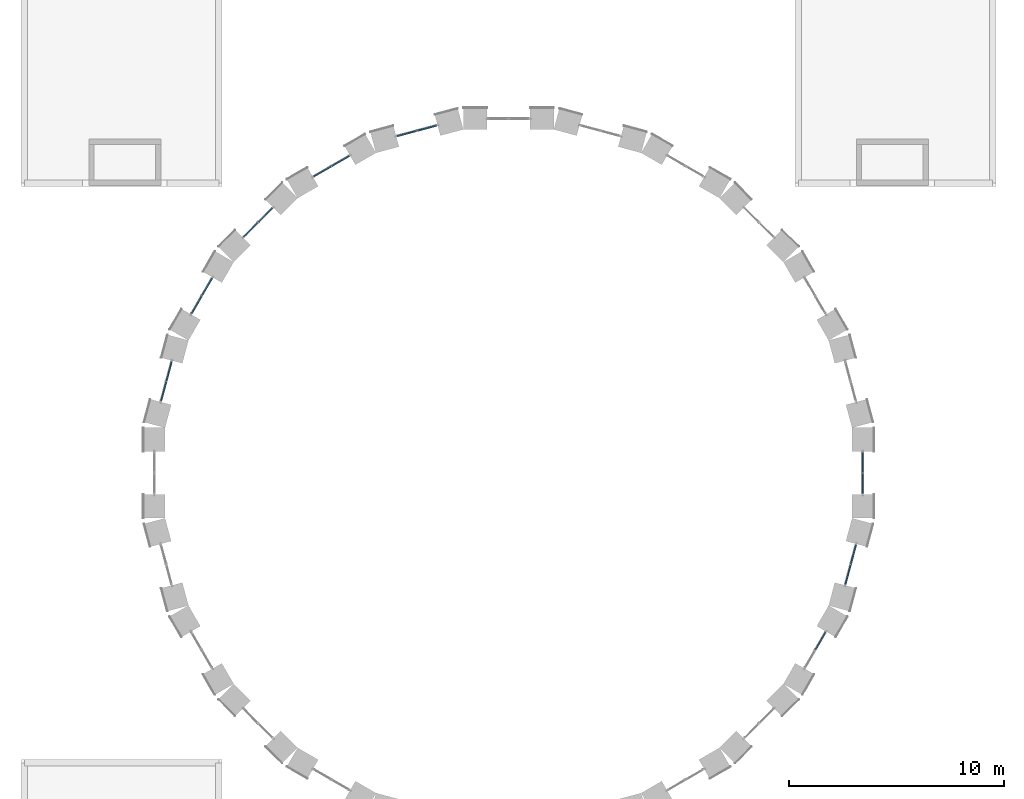
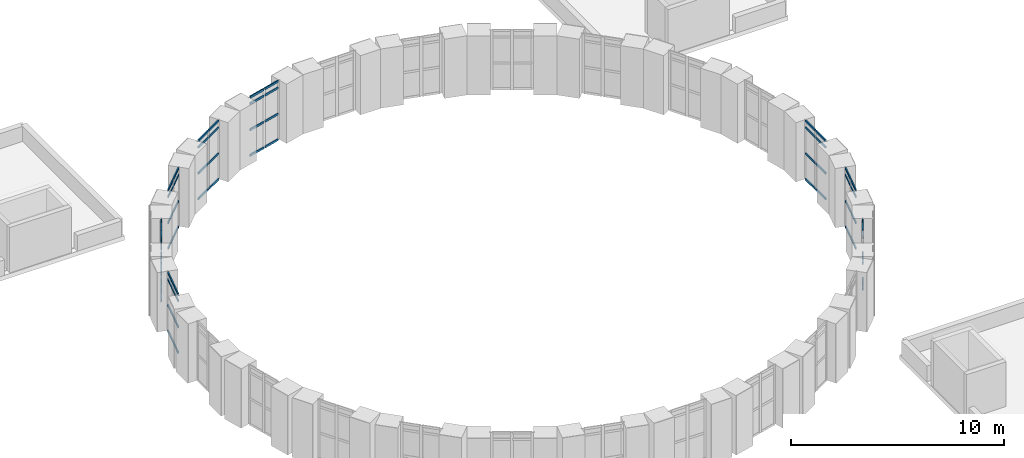
# One storey, part 16 of 42: 60 members, 8 elements without a shape of their own.
"""IFC4 building model written with IfcOpenShell, lengths in metres."""

from ifc_helpers import new_model, si_unit, direction, frame, origin, origin_2d, place, context, subcontext, project, spatial, rectangle, extrude, material, layer, layer_set, material_profile, profile_set, type_object, element, aggregate, save


model = new_model("IFC4")

# Units and contexts
model_context = context("Model", 3, precision=1e-05, world=origin(), true_north=direction((0.0, 1.0)))
body_context = subcontext(model_context, "Body", "Model", "MODEL_VIEW")
ifc_project = project(units=[si_unit("LENGTHUNIT", "METRE"), si_unit("AREAUNIT", "SQUARE_METRE"), si_unit("VOLUMEUNIT", "CUBIC_METRE"), si_unit("PLANEANGLEUNIT", "RADIAN"), si_unit("MASSUNIT", "GRAM", prefix="KILO")], contexts=[model_context])

# Site, building, storey
site_placement = place(None, origin())
site = spatial("IfcSite", under=ifc_project, at=site_placement, CompositionType="ELEMENT")
building_placement = place(site_placement, origin())
building = spatial("IfcBuilding", under=site, at=building_placement, Name="Golden Quay Civic Hall", CompositionType="ELEMENT")
storey_placement = place(building_placement, frame((0.0, 0.0, 22.800048828125)))
storey = spatial("IfcBuildingStorey", under=building, at=storey_placement, Name="L05", CompositionType="ELEMENT", Elevation=22.800048828125)

# Curtain wall, members
ifc_material_1 = material(Name="Glass, laminated double glazed", Category="glass")
ifc_layer = layer(ifc_material_1, 0.199951171875)
ifc_layer_set = layer_set([ifc_layer], Name="Glazed drum clerestory curtain wall")
curtain_wall_type = type_object("IfcCurtainWallType", Name="Glazed drum clerestory curtain wall", PredefinedType="NOTDEFINED", material=ifc_layer_set)
curtain_wall_1_placement = place(storey_placement, origin())
curtain_wall_1 = element("IfcCurtainWall", 1, at=curtain_wall_1_placement, inside=storey, type_object=curtain_wall_type, Name="Clerestory curtain wall 7", PredefinedType="NOTDEFINED")
ifc_material_2 = material(Name="Aluminium, anodised", Category="aluminium")
ifc_material_profile = material_profile(ifc_material_2, rectangle(XDim=0.06005859375, YDim=0.1201171875, at=origin_2d()), Name="Aluminium 60 x 120")
ifc_profile_set = profile_set([ifc_material_profile], Name="Aluminium, anodised")
member_type = type_object("IfcMemberType", Name="Aluminium transom 60 x 120", PredefinedType="USERDEFINED", material=ifc_profile_set)
member_1_placement = place(storey_placement, frame((82.137451171875, 101.68115234375, 0.329833984375), z_axis=(-0.965900137494, -0.258914897967, 0.0), x_axis=(0.258914897967, -0.965900137494, 0.0)))
member_1 = element("IfcMember", 2, at=member_1_placement, type_object=member_type, Name="CW5 transom 1.1", ObjectType="TRANSOM", PredefinedType="USERDEFINED", context=body_context, shape_type="SweptSolid", body=[
    extrude(rectangle(XDim=0.06005859375, YDim=0.1201171875, at=origin_2d()), origin(), (0.0, 0.0, 1.0), 0.909912109375),
])
member_2_placement = place(storey_placement, frame((82.137451171875, 101.68115234375, 1.800048828125), z_axis=(-0.965900137494, -0.258914897967, 0.0), x_axis=(0.258914897967, -0.965900137494, 0.0)))
member_2 = element("IfcMember", 3, at=member_2_placement, type_object=member_type, Name="CW5 transom 1.2", ObjectType="TRANSOM", PredefinedType="USERDEFINED", context=body_context, shape_type="SweptSolid", body=[
    extrude(rectangle(XDim=0.06005859375, YDim=0.1201171875, at=origin_2d()), origin(), (0.0, 0.0, 1.0), 0.909912109375),
])
member_3_placement = place(storey_placement, frame((82.137451171875, 101.68115234375, 3.300048828125), z_axis=(-0.965900137494, -0.258914897967, 0.0), x_axis=(0.258914897967, -0.965900137494, 0.0)))
member_3 = element("IfcMember", 4, at=member_3_placement, type_object=member_type, Name="CW5 transom 1.3", ObjectType="TRANSOM", PredefinedType="USERDEFINED", context=body_context, shape_type="SweptSolid", body=[
    extrude(rectangle(XDim=0.06005859375, YDim=0.1201171875, at=origin_2d()), origin(), (0.0, 0.0, 1.0), 0.909912109375),
])
member_4_placement = place(storey_placement, frame((82.137451171875, 101.68115234375, 3.669921875), z_axis=(-0.965900137494, -0.258914897967, 0.0), x_axis=(0.258914897967, -0.965900137494, 0.0)))
member_4 = element("IfcMember", 5, at=member_4_placement, type_object=member_type, Name="CW5 transom 1.4", ObjectType="TRANSOM", PredefinedType="USERDEFINED", context=body_context, shape_type="SweptSolid", body=[
    extrude(rectangle(XDim=0.06005859375, YDim=0.1201171875, at=origin_2d()), origin(), (0.0, 0.0, 1.0), 0.909912109375),
])
member_5_placement = place(storey_placement, frame((81.200439453125, 101.429931640625, 0.329833984375), z_axis=(-0.965967209168, -0.258664552677, 0.0), x_axis=(0.258664552677, -0.965967209168, 0.0)))
member_5 = element("IfcMember", 6, at=member_5_placement, type_object=member_type, Name="CW5 transom 2.1", ObjectType="TRANSOM", PredefinedType="USERDEFINED", context=body_context, shape_type="SweptSolid", body=[
    extrude(rectangle(XDim=0.06005859375, YDim=0.1201171875, at=origin_2d()), origin(), (0.0, 0.0, 1.0), 0.909912109375),
])
member_6_placement = place(storey_placement, frame((81.200439453125, 101.429931640625, 1.800048828125), z_axis=(-0.965967209168, -0.258664552677, 0.0), x_axis=(0.258664552677, -0.965967209168, 0.0)))
member_6 = element("IfcMember", 7, at=member_6_placement, type_object=member_type, Name="CW5 transom 2.2", ObjectType="TRANSOM", PredefinedType="USERDEFINED", context=body_context, shape_type="SweptSolid", body=[
    extrude(rectangle(XDim=0.06005859375, YDim=0.1201171875, at=origin_2d()), origin(), (0.0, 0.0, 1.0), 0.909912109375),
])
member_7_placement = place(storey_placement, frame((81.200439453125, 101.429931640625, 3.300048828125), z_axis=(-0.965967209168, -0.258664552677, 0.0), x_axis=(0.258664552677, -0.965967209168, 0.0)))
member_7 = element("IfcMember", 8, at=member_7_placement, type_object=member_type, Name="CW5 transom 2.3", ObjectType="TRANSOM", PredefinedType="USERDEFINED", context=body_context, shape_type="SweptSolid", body=[
    extrude(rectangle(XDim=0.06005859375, YDim=0.1201171875, at=origin_2d()), origin(), (0.0, 0.0, 1.0), 0.909912109375),
])
member_8_placement = place(storey_placement, frame((81.200439453125, 101.429931640625, 3.669921875), z_axis=(-0.965967209168, -0.258664552677, 0.0), x_axis=(0.258664552677, -0.965967209168, 0.0)))
member_8 = element("IfcMember", 9, at=member_8_placement, type_object=member_type, Name="CW5 transom 2.4", ObjectType="TRANSOM", PredefinedType="USERDEFINED", context=body_context, shape_type="SweptSolid", body=[
    extrude(rectangle(XDim=0.06005859375, YDim=0.1201171875, at=origin_2d()), origin(), (0.0, 0.0, 1.0), 0.909912109375),
])
aggregate(curtain_wall_1, [member_1, member_2, member_3, member_4, member_5, member_6, member_7, member_8])

curtain_wall_2_placement = place(storey_placement, origin())
curtain_wall_2 = element("IfcCurtainWall", 10, at=curtain_wall_2_placement, inside=storey, type_object=curtain_wall_type, Name="Clerestory curtain wall 8", PredefinedType="NOTDEFINED")
member_9_placement = place(storey_placement, frame((78.06396484375, 100.25927734375, 0.329833984375), z_axis=(-0.866105171129, -0.499861813449, 0.0), x_axis=(0.499861813449, -0.866105171129, 0.0)))
member_9 = element("IfcMember", 11, at=member_9_placement, type_object=member_type, Name="CW5 transom 1.1", ObjectType="TRANSOM", PredefinedType="USERDEFINED", context=body_context, shape_type="SweptSolid", body=[
    extrude(rectangle(XDim=0.06005859375, YDim=0.1201171875, at=origin_2d()), origin(), (0.0, 0.0, 1.0), 0.909912109375),
])
member_10_placement = place(storey_placement, frame((78.06396484375, 100.25927734375, 1.800048828125), z_axis=(-0.866105171129, -0.499861813449, 0.0), x_axis=(0.499861813449, -0.866105171129, 0.0)))
member_10 = element("IfcMember", 12, at=member_10_placement, type_object=member_type, Name="CW5 transom 1.2", ObjectType="TRANSOM", PredefinedType="USERDEFINED", context=body_context, shape_type="SweptSolid", body=[
    extrude(rectangle(XDim=0.06005859375, YDim=0.1201171875, at=origin_2d()), origin(), (0.0, 0.0, 1.0), 0.909912109375),
])
member_11_placement = place(storey_placement, frame((78.06396484375, 100.25927734375, 3.300048828125), z_axis=(-0.866105171129, -0.499861813449, 0.0), x_axis=(0.499861813449, -0.866105171129, 0.0)))
member_11 = element("IfcMember", 13, at=member_11_placement, type_object=member_type, Name="CW5 transom 1.3", ObjectType="TRANSOM", PredefinedType="USERDEFINED", context=body_context, shape_type="SweptSolid", body=[
    extrude(rectangle(XDim=0.06005859375, YDim=0.1201171875, at=origin_2d()), origin(), (0.0, 0.0, 1.0), 0.909912109375),
])
member_12_placement = place(storey_placement, frame((78.06396484375, 100.25927734375, 3.669921875), z_axis=(-0.866105171129, -0.499861813449, 0.0), x_axis=(0.499861813449, -0.866105171129, 0.0)))
member_12 = element("IfcMember", 14, at=member_12_placement, type_object=member_type, Name="CW5 transom 1.4", ObjectType="TRANSOM", PredefinedType="USERDEFINED", context=body_context, shape_type="SweptSolid", body=[
    extrude(rectangle(XDim=0.06005859375, YDim=0.1201171875, at=origin_2d()), origin(), (0.0, 0.0, 1.0), 0.909912109375),
])
member_13_placement = place(storey_placement, frame((77.22412109375, 99.7744140625, 0.329833984375), z_axis=(-0.865989003036, -0.500063042646, 0.0), x_axis=(0.500063042646, -0.865989003036, 0.0)))
member_13 = element("IfcMember", 15, at=member_13_placement, type_object=member_type, Name="CW5 transom 2.1", ObjectType="TRANSOM", PredefinedType="USERDEFINED", context=body_context, shape_type="SweptSolid", body=[
    extrude(rectangle(XDim=0.06005859375, YDim=0.1201171875, at=origin_2d()), origin(), (0.0, 0.0, 1.0), 0.91015625),
])
member_14_placement = place(storey_placement, frame((77.22412109375, 99.7744140625, 1.800048828125), z_axis=(-0.865989003036, -0.500063042646, 0.0), x_axis=(0.500063042646, -0.865989003036, 0.0)))
member_14 = element("IfcMember", 16, at=member_14_placement, type_object=member_type, Name="CW5 transom 2.2", ObjectType="TRANSOM", PredefinedType="USERDEFINED", context=body_context, shape_type="SweptSolid", body=[
    extrude(rectangle(XDim=0.06005859375, YDim=0.1201171875, at=origin_2d()), origin(), (0.0, 0.0, 1.0), 0.91015625),
])
member_15_placement = place(storey_placement, frame((77.22412109375, 99.7744140625, 3.300048828125), z_axis=(-0.865989003036, -0.500063042646, 0.0), x_axis=(0.500063042646, -0.865989003036, 0.0)))
member_15 = element("IfcMember", 17, at=member_15_placement, type_object=member_type, Name="CW5 transom 2.3", ObjectType="TRANSOM", PredefinedType="USERDEFINED", context=body_context, shape_type="SweptSolid", body=[
    extrude(rectangle(XDim=0.06005859375, YDim=0.1201171875, at=origin_2d()), origin(), (0.0, 0.0, 1.0), 0.91015625),
])
member_16_placement = place(storey_placement, frame((77.22412109375, 99.7744140625, 3.669921875), z_axis=(-0.865989003036, -0.500063042646, 0.0), x_axis=(0.500063042646, -0.865989003036, 0.0)))
member_16 = element("IfcMember", 18, at=member_16_placement, type_object=member_type, Name="CW5 transom 2.4", ObjectType="TRANSOM", PredefinedType="USERDEFINED", context=body_context, shape_type="SweptSolid", body=[
    extrude(rectangle(XDim=0.06005859375, YDim=0.1201171875, at=origin_2d()), origin(), (0.0, 0.0, 1.0), 0.91015625),
])
aggregate(curtain_wall_2, [member_9, member_10, member_11, member_12, member_13, member_14, member_15, member_16])

curtain_wall_3_placement = place(storey_placement, origin())
curtain_wall_3 = element("IfcCurtainWall", 19, at=curtain_wall_3_placement, inside=storey, type_object=curtain_wall_type, Name="Clerestory curtain wall 9", PredefinedType="NOTDEFINED")
member_17_placement = place(storey_placement, frame((74.497314453125, 97.83203125, 0.329833984375), z_axis=(-0.706972618059, -0.707240918863, 0.0), x_axis=(0.707240918863, -0.706972618059, 0.0)))
member_17 = element("IfcMember", 20, at=member_17_placement, type_object=member_type, Name="CW5 transom 1.1", ObjectType="TRANSOM", PredefinedType="USERDEFINED", context=body_context, shape_type="SweptSolid", body=[
    extrude(rectangle(XDim=0.06005859375, YDim=0.1201171875, at=origin_2d()), origin(), (0.0, 0.0, 1.0), 0.909912109375),
])
member_18_placement = place(storey_placement, frame((74.497314453125, 97.83203125, 1.800048828125), z_axis=(-0.706972618059, -0.707240918863, 0.0), x_axis=(0.707240918863, -0.706972618059, 0.0)))
member_18 = element("IfcMember", 21, at=member_18_placement, type_object=member_type, Name="CW5 transom 1.2", ObjectType="TRANSOM", PredefinedType="USERDEFINED", context=body_context, shape_type="SweptSolid", body=[
    extrude(rectangle(XDim=0.06005859375, YDim=0.1201171875, at=origin_2d()), origin(), (0.0, 0.0, 1.0), 0.909912109375),
])
member_19_placement = place(storey_placement, frame((74.497314453125, 97.83203125, 3.300048828125), z_axis=(-0.706972618059, -0.707240918863, 0.0), x_axis=(0.707240918863, -0.706972618059, 0.0)))
member_19 = element("IfcMember", 22, at=member_19_placement, type_object=member_type, Name="CW5 transom 1.3", ObjectType="TRANSOM", PredefinedType="USERDEFINED", context=body_context, shape_type="SweptSolid", body=[
    extrude(rectangle(XDim=0.06005859375, YDim=0.1201171875, at=origin_2d()), origin(), (0.0, 0.0, 1.0), 0.909912109375),
])
member_20_placement = place(storey_placement, frame((74.497314453125, 97.83203125, 3.669921875), z_axis=(-0.706972618059, -0.707240918863, 0.0), x_axis=(0.707240918863, -0.706972618059, 0.0)))
member_20 = element("IfcMember", 23, at=member_20_placement, type_object=member_type, Name="CW5 transom 1.4", ObjectType="TRANSOM", PredefinedType="USERDEFINED", context=body_context, shape_type="SweptSolid", body=[
    extrude(rectangle(XDim=0.06005859375, YDim=0.1201171875, at=origin_2d()), origin(), (0.0, 0.0, 1.0), 0.909912109375),
])
member_21_placement = place(storey_placement, frame((73.8115234375, 97.14599609375, 0.329833984375), z_axis=(-0.707240918863, -0.706972618059, 0.0), x_axis=(0.706972618059, -0.707240918863, 0.0)))
member_21 = element("IfcMember", 24, at=member_21_placement, type_object=member_type, Name="CW5 transom 2.1", ObjectType="TRANSOM", PredefinedType="USERDEFINED", context=body_context, shape_type="SweptSolid", body=[
    extrude(rectangle(XDim=0.06005859375, YDim=0.1201171875, at=origin_2d()), origin(), (0.0, 0.0, 1.0), 0.909912109375),
])
member_22_placement = place(storey_placement, frame((73.8115234375, 97.14599609375, 1.800048828125), z_axis=(-0.707240918863, -0.706972618059, 0.0), x_axis=(0.706972618059, -0.707240918863, 0.0)))
member_22 = element("IfcMember", 25, at=member_22_placement, type_object=member_type, Name="CW5 transom 2.2", ObjectType="TRANSOM", PredefinedType="USERDEFINED", context=body_context, shape_type="SweptSolid", body=[
    extrude(rectangle(XDim=0.06005859375, YDim=0.1201171875, at=origin_2d()), origin(), (0.0, 0.0, 1.0), 0.909912109375),
])
member_23_placement = place(storey_placement, frame((73.8115234375, 97.14599609375, 3.300048828125), z_axis=(-0.707240918863, -0.706972618059, 0.0), x_axis=(0.706972618059, -0.707240918863, 0.0)))
member_23 = element("IfcMember", 26, at=member_23_placement, type_object=member_type, Name="CW5 transom 2.3", ObjectType="TRANSOM", PredefinedType="USERDEFINED", context=body_context, shape_type="SweptSolid", body=[
    extrude(rectangle(XDim=0.06005859375, YDim=0.1201171875, at=origin_2d()), origin(), (0.0, 0.0, 1.0), 0.909912109375),
])
member_24_placement = place(storey_placement, frame((73.8115234375, 97.14599609375, 3.669921875), z_axis=(-0.707240918863, -0.706972618059, 0.0), x_axis=(0.706972618059, -0.707240918863, 0.0)))
member_24 = element("IfcMember", 27, at=member_24_placement, type_object=member_type, Name="CW5 transom 2.4", ObjectType="TRANSOM", PredefinedType="USERDEFINED", context=body_context, shape_type="SweptSolid", body=[
    extrude(rectangle(XDim=0.06005859375, YDim=0.1201171875, at=origin_2d()), origin(), (0.0, 0.0, 1.0), 0.909912109375),
])
aggregate(curtain_wall_3, [member_17, member_18, member_19, member_20, member_21, member_22, member_23, member_24])

curtain_wall_4_placement = place(storey_placement, origin())
curtain_wall_4 = element("IfcCurtainWall", 28, at=curtain_wall_4_placement, inside=storey, type_object=curtain_wall_type, Name="Clerestory curtain wall 10", PredefinedType="NOTDEFINED")
member_25_placement = place(storey_placement, frame((71.6806640625, 94.56396484375, 0.329833984375), z_axis=(-0.500063042646, -0.865989003036, 0.0), x_axis=(0.865989003036, -0.500063042646, 0.0)))
member_25 = element("IfcMember", 29, at=member_25_placement, type_object=member_type, Name="CW5 transom 1.1", ObjectType="TRANSOM", PredefinedType="USERDEFINED", context=body_context, shape_type="SweptSolid", body=[
    extrude(rectangle(XDim=0.06005859375, YDim=0.1201171875, at=origin_2d()), origin(), (0.0, 0.0, 1.0), 0.91015625),
])
member_26_placement = place(storey_placement, frame((71.6806640625, 94.56396484375, 1.800048828125), z_axis=(-0.500063042646, -0.865989003036, 0.0), x_axis=(0.865989003036, -0.500063042646, 0.0)))
member_26 = element("IfcMember", 30, at=member_26_placement, type_object=member_type, Name="CW5 transom 1.2", ObjectType="TRANSOM", PredefinedType="USERDEFINED", context=body_context, shape_type="SweptSolid", body=[
    extrude(rectangle(XDim=0.06005859375, YDim=0.1201171875, at=origin_2d()), origin(), (0.0, 0.0, 1.0), 0.91015625),
])
member_27_placement = place(storey_placement, frame((71.6806640625, 94.56396484375, 3.300048828125), z_axis=(-0.500063042646, -0.865989003036, 0.0), x_axis=(0.865989003036, -0.500063042646, 0.0)))
member_27 = element("IfcMember", 31, at=member_27_placement, type_object=member_type, Name="CW5 transom 1.3", ObjectType="TRANSOM", PredefinedType="USERDEFINED", context=body_context, shape_type="SweptSolid", body=[
    extrude(rectangle(XDim=0.06005859375, YDim=0.1201171875, at=origin_2d()), origin(), (0.0, 0.0, 1.0), 0.91015625),
])
member_28_placement = place(storey_placement, frame((71.6806640625, 94.56396484375, 3.669921875), z_axis=(-0.500063042646, -0.865989003036, 0.0), x_axis=(0.865989003036, -0.500063042646, 0.0)))
member_28 = element("IfcMember", 32, at=member_28_placement, type_object=member_type, Name="CW5 transom 1.4", ObjectType="TRANSOM", PredefinedType="USERDEFINED", context=body_context, shape_type="SweptSolid", body=[
    extrude(rectangle(XDim=0.06005859375, YDim=0.1201171875, at=origin_2d()), origin(), (0.0, 0.0, 1.0), 0.91015625),
])
member_29_placement = place(storey_placement, frame((71.195556640625, 93.72412109375, 0.329833984375), z_axis=(-0.499861813449, -0.866105171129, 0.0), x_axis=(0.866105171129, -0.499861813449, 0.0)))
member_29 = element("IfcMember", 33, at=member_29_placement, type_object=member_type, Name="CW5 transom 2.1", ObjectType="TRANSOM", PredefinedType="USERDEFINED", context=body_context, shape_type="SweptSolid", body=[
    extrude(rectangle(XDim=0.06005859375, YDim=0.1201171875, at=origin_2d()), origin(), (0.0, 0.0, 1.0), 0.909912109375),
])
member_30_placement = place(storey_placement, frame((71.195556640625, 93.72412109375, 1.800048828125), z_axis=(-0.499861813449, -0.866105171129, 0.0), x_axis=(0.866105171129, -0.499861813449, 0.0)))
member_30 = element("IfcMember", 34, at=member_30_placement, type_object=member_type, Name="CW5 transom 2.2", ObjectType="TRANSOM", PredefinedType="USERDEFINED", context=body_context, shape_type="SweptSolid", body=[
    extrude(rectangle(XDim=0.06005859375, YDim=0.1201171875, at=origin_2d()), origin(), (0.0, 0.0, 1.0), 0.909912109375),
])
member_31_placement = place(storey_placement, frame((71.195556640625, 93.72412109375, 3.300048828125), z_axis=(-0.499861813449, -0.866105171129, 0.0), x_axis=(0.866105171129, -0.499861813449, 0.0)))
member_31 = element("IfcMember", 35, at=member_31_placement, type_object=member_type, Name="CW5 transom 2.3", ObjectType="TRANSOM", PredefinedType="USERDEFINED", context=body_context, shape_type="SweptSolid", body=[
    extrude(rectangle(XDim=0.06005859375, YDim=0.1201171875, at=origin_2d()), origin(), (0.0, 0.0, 1.0), 0.909912109375),
])
member_32_placement = place(storey_placement, frame((71.195556640625, 93.72412109375, 3.669921875), z_axis=(-0.499861813449, -0.866105171129, 0.0), x_axis=(0.866105171129, -0.499861813449, 0.0)))
member_32 = element("IfcMember", 36, at=member_32_placement, type_object=member_type, Name="CW5 transom 2.4", ObjectType="TRANSOM", PredefinedType="USERDEFINED", context=body_context, shape_type="SweptSolid", body=[
    extrude(rectangle(XDim=0.06005859375, YDim=0.1201171875, at=origin_2d()), origin(), (0.0, 0.0, 1.0), 0.909912109375),
])
aggregate(curtain_wall_4, [member_25, member_26, member_27, member_28, member_29, member_30, member_31, member_32])

curtain_wall_5_placement = place(storey_placement, origin())
curtain_wall_5 = element("IfcCurtainWall", 37, at=curtain_wall_5_placement, inside=storey, type_object=curtain_wall_type, Name="Clerestory curtain wall 11", PredefinedType="NOTDEFINED")
member_33_placement = place(storey_placement, frame((69.805419921875, 90.678466796875, 0.329833984375), z_axis=(-0.258664552677, -0.965967209168, 0.0), x_axis=(0.965967209168, -0.258664552677, 0.0)))
member_33 = element("IfcMember", 38, at=member_33_placement, type_object=member_type, Name="CW5 transom 1.1", ObjectType="TRANSOM", PredefinedType="USERDEFINED", context=body_context, shape_type="SweptSolid", body=[
    extrude(rectangle(XDim=0.06005859375, YDim=0.1201171875, at=origin_2d()), origin(), (0.0, 0.0, 1.0), 0.909912109375),
])
member_34_placement = place(storey_placement, frame((69.805419921875, 90.678466796875, 1.800048828125), z_axis=(-0.258664552677, -0.965967209168, 0.0), x_axis=(0.965967209168, -0.258664552677, 0.0)))
member_34 = element("IfcMember", 39, at=member_34_placement, type_object=member_type, Name="CW5 transom 1.2", ObjectType="TRANSOM", PredefinedType="USERDEFINED", context=body_context, shape_type="SweptSolid", body=[
    extrude(rectangle(XDim=0.06005859375, YDim=0.1201171875, at=origin_2d()), origin(), (0.0, 0.0, 1.0), 0.909912109375),
])
member_35_placement = place(storey_placement, frame((69.805419921875, 90.678466796875, 3.300048828125), z_axis=(-0.258664552677, -0.965967209168, 0.0), x_axis=(0.965967209168, -0.258664552677, 0.0)))
member_35 = element("IfcMember", 40, at=member_35_placement, type_object=member_type, Name="CW5 transom 1.3", ObjectType="TRANSOM", PredefinedType="USERDEFINED", context=body_context, shape_type="SweptSolid", body=[
    extrude(rectangle(XDim=0.06005859375, YDim=0.1201171875, at=origin_2d()), origin(), (0.0, 0.0, 1.0), 0.909912109375),
])
member_36_placement = place(storey_placement, frame((69.805419921875, 90.678466796875, 3.669921875), z_axis=(-0.258664552677, -0.965967209168, 0.0), x_axis=(0.965967209168, -0.258664552677, 0.0)))
member_36 = element("IfcMember", 41, at=member_36_placement, type_object=member_type, Name="CW5 transom 1.4", ObjectType="TRANSOM", PredefinedType="USERDEFINED", context=body_context, shape_type="SweptSolid", body=[
    extrude(rectangle(XDim=0.06005859375, YDim=0.1201171875, at=origin_2d()), origin(), (0.0, 0.0, 1.0), 0.909912109375),
])
member_37_placement = place(storey_placement, frame((69.554443359375, 89.741455078125, 0.329833984375), z_axis=(-0.258914897967, -0.965900137494, 0.0), x_axis=(0.965900137494, -0.258914897967, 0.0)))
member_37 = element("IfcMember", 42, at=member_37_placement, type_object=member_type, Name="CW5 transom 2.1", ObjectType="TRANSOM", PredefinedType="USERDEFINED", context=body_context, shape_type="SweptSolid", body=[
    extrude(rectangle(XDim=0.06005859375, YDim=0.1201171875, at=origin_2d()), origin(), (0.0, 0.0, 1.0), 0.909912109375),
])
member_38_placement = place(storey_placement, frame((69.554443359375, 89.741455078125, 1.800048828125), z_axis=(-0.258914897967, -0.965900137494, 0.0), x_axis=(0.965900137494, -0.258914897967, 0.0)))
member_38 = element("IfcMember", 43, at=member_38_placement, type_object=member_type, Name="CW5 transom 2.2", ObjectType="TRANSOM", PredefinedType="USERDEFINED", context=body_context, shape_type="SweptSolid", body=[
    extrude(rectangle(XDim=0.06005859375, YDim=0.1201171875, at=origin_2d()), origin(), (0.0, 0.0, 1.0), 0.909912109375),
])
member_39_placement = place(storey_placement, frame((69.554443359375, 89.741455078125, 3.300048828125), z_axis=(-0.258914897967, -0.965900137494, 0.0), x_axis=(0.965900137494, -0.258914897967, 0.0)))
member_39 = element("IfcMember", 44, at=member_39_placement, type_object=member_type, Name="CW5 transom 2.3", ObjectType="TRANSOM", PredefinedType="USERDEFINED", context=body_context, shape_type="SweptSolid", body=[
    extrude(rectangle(XDim=0.06005859375, YDim=0.1201171875, at=origin_2d()), origin(), (0.0, 0.0, 1.0), 0.909912109375),
])
member_40_placement = place(storey_placement, frame((69.554443359375, 89.741455078125, 3.669921875), z_axis=(-0.258914897967, -0.965900137494, 0.0), x_axis=(0.965900137494, -0.258914897967, 0.0)))
member_40 = element("IfcMember", 45, at=member_40_placement, type_object=member_type, Name="CW5 transom 2.4", ObjectType="TRANSOM", PredefinedType="USERDEFINED", context=body_context, shape_type="SweptSolid", body=[
    extrude(rectangle(XDim=0.06005859375, YDim=0.1201171875, at=origin_2d()), origin(), (0.0, 0.0, 1.0), 0.909912109375),
])
aggregate(curtain_wall_5, [member_33, member_34, member_35, member_36, member_37, member_38, member_39, member_40])

curtain_wall_6_placement = place(storey_placement, origin())
curtain_wall_6 = element("IfcCurtainWall", 46, at=curtain_wall_6_placement, inside=storey, type_object=curtain_wall_type, Name="Clerestory curtain wall 22", PredefinedType="NOTDEFINED")
member_41_placement = place(storey_placement, frame((99.804443359375, 77.27587890625, 0.329833984375), z_axis=(0.499861813449, 0.866105171129, 0.0), x_axis=(-0.866105171129, 0.499861813449, 0.0)))
member_41 = element("IfcMember", 47, at=member_41_placement, type_object=member_type, Name="CW5 transom 2.1", ObjectType="TRANSOM", PredefinedType="USERDEFINED", context=body_context, shape_type="SweptSolid", body=[
    extrude(rectangle(XDim=0.06005859375, YDim=0.1201171875, at=origin_2d()), origin(), (0.0, 0.0, 1.0), 0.909912109375),
])
member_42_placement = place(storey_placement, frame((99.804443359375, 77.27587890625, 1.800048828125), z_axis=(0.499861813449, 0.866105171129, 0.0), x_axis=(-0.866105171129, 0.499861813449, 0.0)))
member_42 = element("IfcMember", 48, at=member_42_placement, type_object=member_type, Name="CW5 transom 2.2", ObjectType="TRANSOM", PredefinedType="USERDEFINED", context=body_context, shape_type="SweptSolid", body=[
    extrude(rectangle(XDim=0.06005859375, YDim=0.1201171875, at=origin_2d()), origin(), (0.0, 0.0, 1.0), 0.909912109375),
])
member_43_placement = place(storey_placement, frame((99.804443359375, 77.27587890625, 3.300048828125), z_axis=(0.499861813449, 0.866105171129, 0.0), x_axis=(-0.866105171129, 0.499861813449, 0.0)))
member_43 = element("IfcMember", 49, at=member_43_placement, type_object=member_type, Name="CW5 transom 2.3", ObjectType="TRANSOM", PredefinedType="USERDEFINED", context=body_context, shape_type="SweptSolid", body=[
    extrude(rectangle(XDim=0.06005859375, YDim=0.1201171875, at=origin_2d()), origin(), (0.0, 0.0, 1.0), 0.909912109375),
])
member_44_placement = place(storey_placement, frame((99.804443359375, 77.27587890625, 3.669921875), z_axis=(0.499861813449, 0.866105171129, 0.0), x_axis=(-0.866105171129, 0.499861813449, 0.0)))
member_44 = element("IfcMember", 50, at=member_44_placement, type_object=member_type, Name="CW5 transom 2.4", ObjectType="TRANSOM", PredefinedType="USERDEFINED", context=body_context, shape_type="SweptSolid", body=[
    extrude(rectangle(XDim=0.06005859375, YDim=0.1201171875, at=origin_2d()), origin(), (0.0, 0.0, 1.0), 0.909912109375),
])
aggregate(curtain_wall_6, [member_41, member_42, member_43, member_44])

curtain_wall_7_placement = place(storey_placement, origin())
curtain_wall_7 = element("IfcCurtainWall", 51, at=curtain_wall_7_placement, inside=storey, type_object=curtain_wall_type, Name="Clerestory curtain wall 23", PredefinedType="NOTDEFINED")
member_45_placement = place(storey_placement, frame((101.194580078125, 80.321533203125, 0.329833984375), z_axis=(0.258664552677, 0.965967209168, 0.0), x_axis=(-0.965967209168, 0.258664552677, 0.0)))
member_45 = element("IfcMember", 52, at=member_45_placement, type_object=member_type, Name="CW5 transom 1.1", ObjectType="TRANSOM", PredefinedType="USERDEFINED", context=body_context, shape_type="SweptSolid", body=[
    extrude(rectangle(XDim=0.06005859375, YDim=0.1201171875, at=origin_2d()), origin(), (0.0, 0.0, 1.0), 0.909912109375),
])
member_46_placement = place(storey_placement, frame((101.194580078125, 80.321533203125, 1.800048828125), z_axis=(0.258664552677, 0.965967209168, 0.0), x_axis=(-0.965967209168, 0.258664552677, 0.0)))
member_46 = element("IfcMember", 53, at=member_46_placement, type_object=member_type, Name="CW5 transom 1.2", ObjectType="TRANSOM", PredefinedType="USERDEFINED", context=body_context, shape_type="SweptSolid", body=[
    extrude(rectangle(XDim=0.06005859375, YDim=0.1201171875, at=origin_2d()), origin(), (0.0, 0.0, 1.0), 0.909912109375),
])
member_47_placement = place(storey_placement, frame((101.194580078125, 80.321533203125, 3.300048828125), z_axis=(0.258664552677, 0.965967209168, 0.0), x_axis=(-0.965967209168, 0.258664552677, 0.0)))
member_47 = element("IfcMember", 54, at=member_47_placement, type_object=member_type, Name="CW5 transom 1.3", ObjectType="TRANSOM", PredefinedType="USERDEFINED", context=body_context, shape_type="SweptSolid", body=[
    extrude(rectangle(XDim=0.06005859375, YDim=0.1201171875, at=origin_2d()), origin(), (0.0, 0.0, 1.0), 0.909912109375),
])
member_48_placement = place(storey_placement, frame((101.194580078125, 80.321533203125, 3.669921875), z_axis=(0.258664552677, 0.965967209168, 0.0), x_axis=(-0.965967209168, 0.258664552677, 0.0)))
member_48 = element("IfcMember", 55, at=member_48_placement, type_object=member_type, Name="CW5 transom 1.4", ObjectType="TRANSOM", PredefinedType="USERDEFINED", context=body_context, shape_type="SweptSolid", body=[
    extrude(rectangle(XDim=0.06005859375, YDim=0.1201171875, at=origin_2d()), origin(), (0.0, 0.0, 1.0), 0.909912109375),
])
member_49_placement = place(storey_placement, frame((101.445556640625, 81.258544921875, 0.329833984375), z_axis=(0.258914897967, 0.965900137494, 0.0), x_axis=(-0.965900137494, 0.258914897967, 0.0)))
member_49 = element("IfcMember", 56, at=member_49_placement, type_object=member_type, Name="CW5 transom 2.1", ObjectType="TRANSOM", PredefinedType="USERDEFINED", context=body_context, shape_type="SweptSolid", body=[
    extrude(rectangle(XDim=0.06005859375, YDim=0.1201171875, at=origin_2d()), origin(), (0.0, 0.0, 1.0), 0.909912109375),
])
member_50_placement = place(storey_placement, frame((101.445556640625, 81.258544921875, 1.800048828125), z_axis=(0.258914897967, 0.965900137494, 0.0), x_axis=(-0.965900137494, 0.258914897967, 0.0)))
member_50 = element("IfcMember", 57, at=member_50_placement, type_object=member_type, Name="CW5 transom 2.2", ObjectType="TRANSOM", PredefinedType="USERDEFINED", context=body_context, shape_type="SweptSolid", body=[
    extrude(rectangle(XDim=0.06005859375, YDim=0.1201171875, at=origin_2d()), origin(), (0.0, 0.0, 1.0), 0.909912109375),
])
member_51_placement = place(storey_placement, frame((101.445556640625, 81.258544921875, 3.300048828125), z_axis=(0.258914897967, 0.965900137494, 0.0), x_axis=(-0.965900137494, 0.258914897967, 0.0)))
member_51 = element("IfcMember", 58, at=member_51_placement, type_object=member_type, Name="CW5 transom 2.3", ObjectType="TRANSOM", PredefinedType="USERDEFINED", context=body_context, shape_type="SweptSolid", body=[
    extrude(rectangle(XDim=0.06005859375, YDim=0.1201171875, at=origin_2d()), origin(), (0.0, 0.0, 1.0), 0.909912109375),
])
member_52_placement = place(storey_placement, frame((101.445556640625, 81.258544921875, 3.669921875), z_axis=(0.258914897967, 0.965900137494, 0.0), x_axis=(-0.965900137494, 0.258914897967, 0.0)))
member_52 = element("IfcMember", 59, at=member_52_placement, type_object=member_type, Name="CW5 transom 2.4", ObjectType="TRANSOM", PredefinedType="USERDEFINED", context=body_context, shape_type="SweptSolid", body=[
    extrude(rectangle(XDim=0.06005859375, YDim=0.1201171875, at=origin_2d()), origin(), (0.0, 0.0, 1.0), 0.909912109375),
])
aggregate(curtain_wall_7, [member_45, member_46, member_47, member_48, member_49, member_50, member_51, member_52])

curtain_wall_8_placement = place(storey_placement, origin())
curtain_wall_8 = element("IfcCurtainWall", 60, at=curtain_wall_8_placement, inside=storey, type_object=curtain_wall_type, Name="Clerestory curtain wall 24", PredefinedType="NOTDEFINED")
member_53_placement = place(storey_placement, frame((102.0, 84.56005859375, 0.329833984375), z_axis=(0.0, 1.0, 0.0), x_axis=(-1.0, 0.0, 0.0)))
member_53 = element("IfcMember", 61, at=member_53_placement, type_object=member_type, Name="CW5 transom 1.1", ObjectType="TRANSOM", PredefinedType="USERDEFINED", context=body_context, shape_type="SweptSolid", body=[
    extrude(rectangle(XDim=0.06005859375, YDim=0.1201171875, at=origin_2d()), origin(), (0.0, 0.0, 1.0), 0.909912109375),
])
member_54_placement = place(storey_placement, frame((102.0, 84.56005859375, 1.800048828125), z_axis=(0.0, 1.0, 0.0), x_axis=(-1.0, 0.0, 0.0)))
member_54 = element("IfcMember", 62, at=member_54_placement, type_object=member_type, Name="CW5 transom 1.2", ObjectType="TRANSOM", PredefinedType="USERDEFINED", context=body_context, shape_type="SweptSolid", body=[
    extrude(rectangle(XDim=0.06005859375, YDim=0.1201171875, at=origin_2d()), origin(), (0.0, 0.0, 1.0), 0.909912109375),
])
member_55_placement = place(storey_placement, frame((102.0, 84.56005859375, 3.300048828125), z_axis=(0.0, 1.0, 0.0), x_axis=(-1.0, 0.0, 0.0)))
member_55 = element("IfcMember", 63, at=member_55_placement, type_object=member_type, Name="CW5 transom 1.3", ObjectType="TRANSOM", PredefinedType="USERDEFINED", context=body_context, shape_type="SweptSolid", body=[
    extrude(rectangle(XDim=0.06005859375, YDim=0.1201171875, at=origin_2d()), origin(), (0.0, 0.0, 1.0), 0.909912109375),
])
member_56_placement = place(storey_placement, frame((102.0, 84.56005859375, 3.669921875), z_axis=(0.0, 1.0, 0.0), x_axis=(-1.0, 0.0, 0.0)))
member_56 = element("IfcMember", 64, at=member_56_placement, type_object=member_type, Name="CW5 transom 1.4", ObjectType="TRANSOM", PredefinedType="USERDEFINED", context=body_context, shape_type="SweptSolid", body=[
    extrude(rectangle(XDim=0.06005859375, YDim=0.1201171875, at=origin_2d()), origin(), (0.0, 0.0, 1.0), 0.909912109375),
])
member_57_placement = place(storey_placement, frame((102.0, 85.530029296875, 0.329833984375), z_axis=(0.0, 1.0, 0.0), x_axis=(-1.0, 0.0, 0.0)))
member_57 = element("IfcMember", 65, at=member_57_placement, type_object=member_type, Name="CW5 transom 2.1", ObjectType="TRANSOM", PredefinedType="USERDEFINED", context=body_context, shape_type="SweptSolid", body=[
    extrude(rectangle(XDim=0.06005859375, YDim=0.1201171875, at=origin_2d()), origin(), (0.0, 0.0, 1.0), 0.909912109375),
])
member_58_placement = place(storey_placement, frame((102.0, 85.530029296875, 1.800048828125), z_axis=(0.0, 1.0, 0.0), x_axis=(-1.0, 0.0, 0.0)))
member_58 = element("IfcMember", 66, at=member_58_placement, type_object=member_type, Name="CW5 transom 2.2", ObjectType="TRANSOM", PredefinedType="USERDEFINED", context=body_context, shape_type="SweptSolid", body=[
    extrude(rectangle(XDim=0.06005859375, YDim=0.1201171875, at=origin_2d()), origin(), (0.0, 0.0, 1.0), 0.909912109375),
])
member_59_placement = place(storey_placement, frame((102.0, 85.530029296875, 3.300048828125), z_axis=(0.0, 1.0, 0.0), x_axis=(-1.0, 0.0, 0.0)))
member_59 = element("IfcMember", 67, at=member_59_placement, type_object=member_type, Name="CW5 transom 2.3", ObjectType="TRANSOM", PredefinedType="USERDEFINED", context=body_context, shape_type="SweptSolid", body=[
    extrude(rectangle(XDim=0.06005859375, YDim=0.1201171875, at=origin_2d()), origin(), (0.0, 0.0, 1.0), 0.909912109375),
])
member_60_placement = place(storey_placement, frame((102.0, 85.530029296875, 3.669921875), z_axis=(0.0, 1.0, 0.0), x_axis=(-1.0, 0.0, 0.0)))
member_60 = element("IfcMember", 68, at=member_60_placement, type_object=member_type, Name="CW5 transom 2.4", ObjectType="TRANSOM", PredefinedType="USERDEFINED", context=body_context, shape_type="SweptSolid", body=[
    extrude(rectangle(XDim=0.06005859375, YDim=0.1201171875, at=origin_2d()), origin(), (0.0, 0.0, 1.0), 0.909912109375),
])
aggregate(curtain_wall_8, [member_53, member_54, member_55, member_56, member_57, member_58, member_59, member_60])

save(model, "model.ifc")
